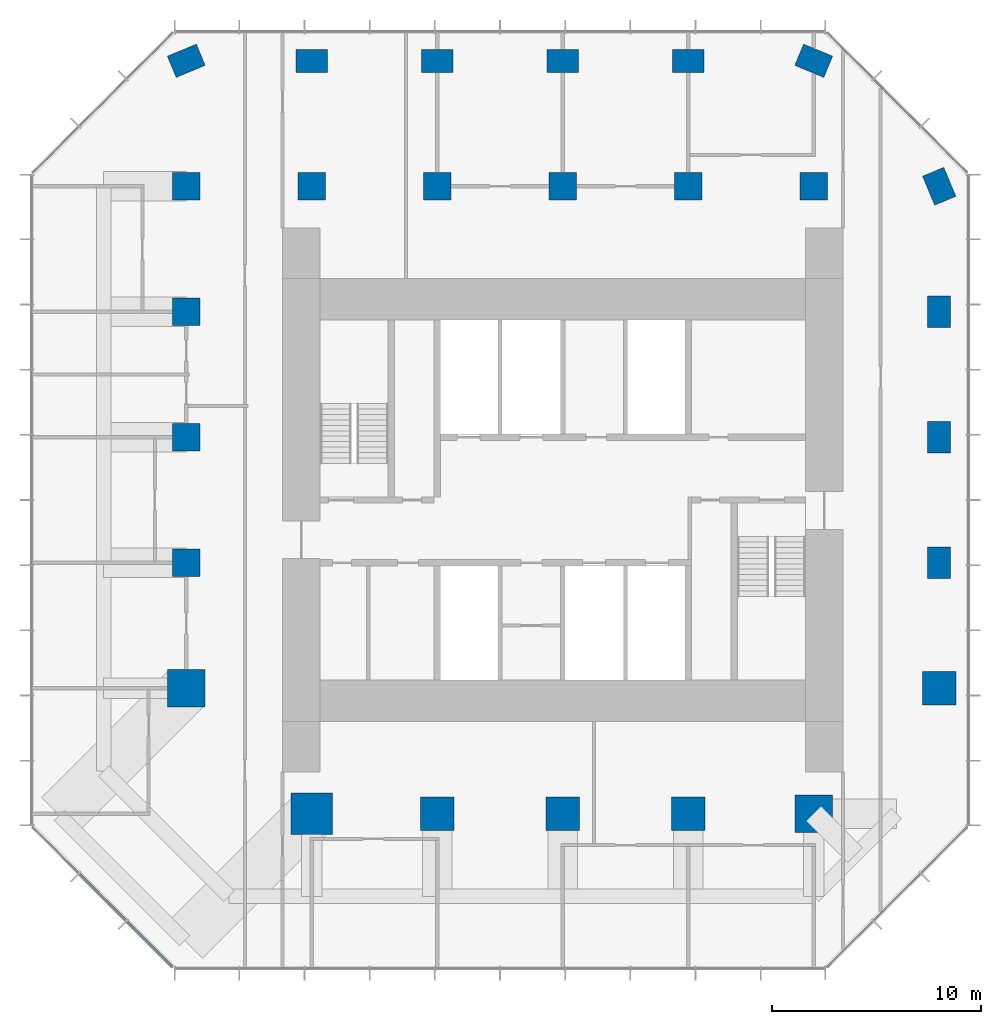
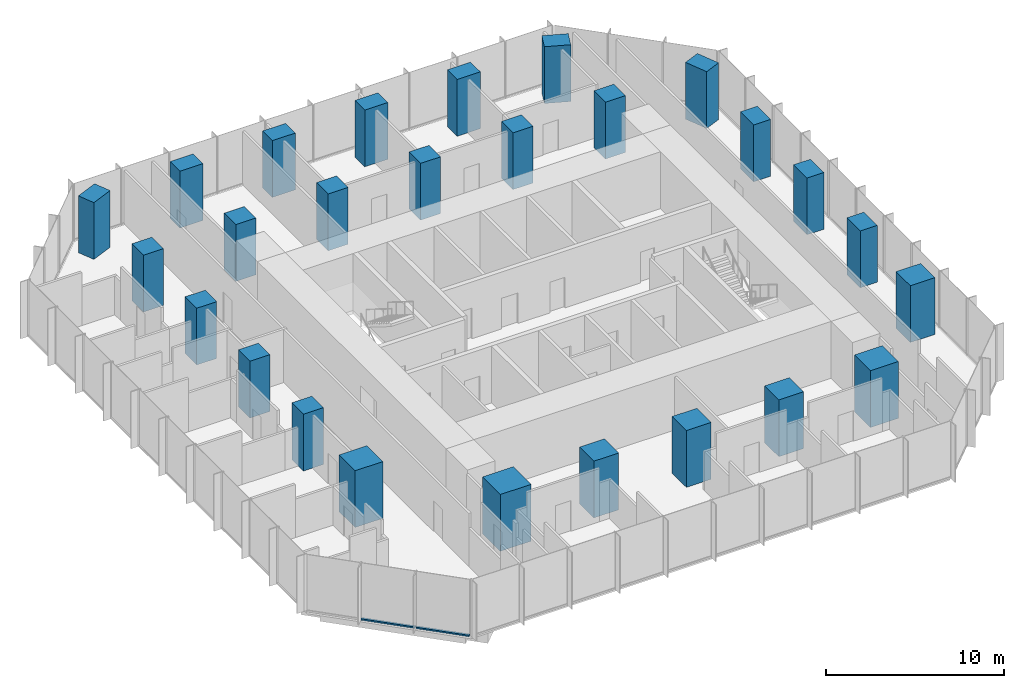
# One storey, part 1 of 11: 26 columns, 2 members, 1 element without a shape of its own.
"""IFC4 building model written with IfcOpenShell, lengths in metres."""

from ifc_helpers import new_model, si_unit, direction, frame, origin, origin_2d, place, context, subcontext, project, spatial, rectangle, extrude, material, layer, layer_set, material_profile, profile_set, type_object, element, aggregate, save


model = new_model("IFC4")

# Units and contexts
model_context = context("Model", 3, precision=1e-05, world=origin(), true_north=direction((0.0, 1.0)))
body_context = subcontext(model_context, "Body", "Model", "MODEL_VIEW")
ifc_project = project(units=[si_unit("LENGTHUNIT", "METRE"), si_unit("AREAUNIT", "SQUARE_METRE"), si_unit("VOLUMEUNIT", "CUBIC_METRE"), si_unit("PLANEANGLEUNIT", "RADIAN"), si_unit("MASSUNIT", "GRAM", prefix="KILO")], contexts=[model_context])

# Site, building, storey
site_placement = place(None, origin())
site = spatial("IfcSite", under=ifc_project, at=site_placement, CompositionType="ELEMENT")
building_placement = place(site_placement, origin())
building = spatial("IfcBuilding", under=site, at=building_placement, Name="Highveld Stack Headquarters", CompositionType="ELEMENT")
storey_placement = place(building_placement, frame((0.0, 0.0, 220.10009765625)))
storey = spatial("IfcBuildingStorey", under=building, at=storey_placement, Name="L54", CompositionType="ELEMENT", Elevation=220.10009765625)

# Columns
ifc_material_1 = material(Name="Concrete C60/75", Category="concrete")
ifc_material_profile_1 = material_profile(ifc_material_1, rectangle(XDim=1.300048828125, YDim=1.300048828125, at=origin_2d()), Name="RC 1300x1300")
ifc_profile_set_1 = profile_set([ifc_material_profile_1], Name="Concrete C60/75")
column_type_1 = type_object("IfcColumnType", Name="COLUMN RC 1300x1300 C60/75", PredefinedType="COLUMN", material=ifc_profile_set_1)
for number, where, z_axis, x_axis, name in (
    (1, (-12.0, 0.0, 0.0), (0.0, 0.0, 1.0), (1.0, 0.0, 0.0), "Column 4/E L54"),
    (2, (-12.0, 6.0, 0.0), (0.0, 0.0, 1.0), (1.0, 0.0, 0.0), "Column 4/F L54"),
    (3, (-12.0, 12.0, 0.0), (0.0, 0.0, 1.0), (1.0, 0.0, 0.0), "Column 4/G L54"),
    (4, (-12.0, 18.0, 0.0), (0.0, 0.0, 1.0), (1.0, 0.0, 0.0), "Column 4/H L54"),
    (5, (-6.0, 18.0, 0.0), (0.0, 0.0, 1.0), (1.0, 0.0, 0.0), "Column 5/H L54"),
    (6, (0.0, 18.0, 0.0), (0.0, 0.0, 1.0), (1.0, 0.0, 0.0), "Column 6/H L54"),
    (7, (6.0, 18.0, 0.0), (0.0, 0.0, 1.0), (1.0, 0.0, 0.0), "Column 7/H L54"),
    (8, (12.0, 18.0, 0.0), (0.0, 0.0, 1.0), (1.0, 0.0, 0.0), "Column 8/H L54"),
    (9, (18.0, 18.0, 0.0), (0.0, 0.0, 1.0), (1.0, 0.0, 0.0), "Column 9/H L54"),
):
    element("IfcColumn", number, at=place(storey_placement, frame(where, z_axis=z_axis, x_axis=x_axis)), inside=storey, type_object=column_type_1, Name=name, PredefinedType="COLUMN", context=body_context, shape_type="SweptSolid", body=[
        extrude(rectangle(XDim=1.300048828125, YDim=1.300048828125, at=origin_2d()), origin(), (0.0, 0.0, 1.0), 3.89990234375),
    ])
ifc_material_2 = material(Name="Concrete C60/75", Category="concrete")
ifc_material_profile_2 = material_profile(ifc_material_2, rectangle(XDim=1.5, YDim=1.10009765625, at=origin_2d()), Name="RC 1500x1100")
ifc_profile_set_2 = profile_set([ifc_material_profile_2], Name="Concrete C60/75")
column_type_2 = type_object("IfcColumnType", Name="COLUMN RC 1500x1100 C60/75", PredefinedType="COLUMN", material=ifc_profile_set_2)
for number, where, z_axis, x_axis, name in (
    (10, (-12.0, 24.0, 0.0), (0.0, 0.0, 1.0), (0.923879532511, 0.382683432365, 0.0), "Column 4/J L54"),
    (11, (-6.0, 24.0, 0.0), (0.0, 0.0, 1.0), (1.0, 0.0, 0.0), "Column 5/J L54"),
    (12, (0.0, 24.0, 0.0), (0.0, 0.0, 1.0), (1.0, 0.0, 0.0), "Column 6/J L54"),
    (13, (6.0, 24.0, 0.0), (0.0, 0.0, 1.0), (1.0, 0.0, 0.0), "Column 7/J L54"),
    (14, (12.0, 24.0, 0.0), (0.0, 0.0, 1.0), (1.0, 0.0, 0.0), "Column 8/J L54"),
    (15, (18.0, 24.0, 0.0), (0.0, 0.0, 1.0), (0.923879532511, -0.382683432365, 0.0), "Column 9/J L54"),
    (16, (24.0, 0.0, 0.0), (0.0, 0.0, 1.0), (0.0, 1.0, 0.0), "Column 10/E L54"),
    (17, (24.0, 6.0, 0.0), (0.0, 0.0, 1.0), (0.0, 1.0, 0.0), "Column 10/F L54"),
    (18, (24.0, 12.0, 0.0), (0.0, 0.0, 1.0), (0.0, 1.0, 0.0), "Column 10/G L54"),
    (19, (24.0, 18.0, 0.0), (0.0, 0.0, 1.0), (0.382683432365, -0.923879532511, 0.0), "Column 10/H L54"),
):
    element("IfcColumn", number, at=place(storey_placement, frame(where, z_axis=z_axis, x_axis=x_axis)), inside=storey, type_object=column_type_2, Name=name, PredefinedType="COLUMN", context=body_context, shape_type="SweptSolid", body=[
        extrude(rectangle(XDim=1.5, YDim=1.10009765625, at=origin_2d()), origin(), (0.0, 0.0, 1.0), 3.89990234375),
    ])
ifc_material_3 = material(Name="Concrete C60/75", Category="concrete")
ifc_material_profile_3 = material_profile(ifc_material_3, rectangle(XDim=1.60009765625, YDim=1.60009765625, at=origin_2d()), Name="RC 1600x1600")
ifc_profile_set_3 = profile_set([ifc_material_profile_3], Name="Concrete C60/75")
column_type_3 = type_object("IfcColumnType", Name="COLUMN RC 1600x1600 C60/75", PredefinedType="COLUMN", material=ifc_profile_set_3)
for number, where, z_axis, x_axis, name in (
    (20, (0.0, -12.0, 0.0), (0.0, 0.0, 1.0), (1.0, 0.0, 0.0), "Column 6/C L54"),
    (21, (6.0, -12.0, 0.0), (0.0, 0.0, 1.0), (1.0, 0.0, 0.0), "Column 7/C L54"),
    (22, (12.0, -12.0, 0.0), (0.0, 0.0, 1.0), (1.0, 0.0, 0.0), "Column 8/C L54"),
    (23, (24.0, -6.0, 0.0), (0.0, 0.0, 1.0), (1.0, 0.0, 0.0), "Column 10/D L54"),
):
    element("IfcColumn", number, at=place(storey_placement, frame(where, z_axis=z_axis, x_axis=x_axis)), inside=storey, type_object=column_type_3, Name=name, PredefinedType="COLUMN", context=body_context, shape_type="SweptSolid", body=[
        extrude(rectangle(XDim=1.60009765625, YDim=1.60009765625, at=origin_2d()), origin(), (0.0, 0.0, 1.0), 3.89990234375),
    ])
ifc_material_4 = material(Name="Concrete C60/75", Category="concrete")
ifc_material_profile_4 = material_profile(ifc_material_4, rectangle(XDim=1.800048828125, YDim=1.800048828125, at=origin_2d()), Name="RC 1800x1800")
ifc_profile_set_4 = profile_set([ifc_material_profile_4], Name="Concrete C60/75")
column_type_4 = type_object("IfcColumnType", Name="COLUMN RC 1800x1800 C60/75", PredefinedType="COLUMN", material=ifc_profile_set_4)
for number, where, z_axis, x_axis, name in (
    (24, (-12.0, -6.0, 0.0), (0.0, 0.0, 1.0), (1.0, 0.0, 0.0), "Column 4/D L54"),
    (25, (18.0, -12.0, 0.0), (0.0, 0.0, 1.0), (1.0, 0.0, 0.0), "Column 9/C L54"),
):
    element("IfcColumn", number, at=place(storey_placement, frame(where, z_axis=z_axis, x_axis=x_axis)), inside=storey, type_object=column_type_4, Name=name, PredefinedType="COLUMN", context=body_context, shape_type="SweptSolid", body=[
        extrude(rectangle(XDim=1.800048828125, YDim=1.800048828125, at=origin_2d()), origin(), (0.0, 0.0, 1.0), 3.89990234375),
    ])
ifc_material_5 = material(Name="Concrete C60/75", Category="concrete")
ifc_material_profile_5 = material_profile(ifc_material_5, rectangle(XDim=2.0, YDim=2.0, at=origin_2d()), Name="RC 2000x2000")
ifc_profile_set_5 = profile_set([ifc_material_profile_5], Name="Concrete C60/75")
column_type_5 = type_object("IfcColumnType", Name="COLUMN RC 2000x2000 C60/75", PredefinedType="COLUMN", material=ifc_profile_set_5)
column_placement = place(storey_placement, frame((-6.0, -12.0, 0.0), z_axis=(0.0, 0.0, 1.0), x_axis=(1.0, 0.0, 0.0)))
element("IfcColumn", 26, at=column_placement, inside=storey, type_object=column_type_5, Name="Column 5/C L54", PredefinedType="COLUMN", context=body_context, shape_type="SweptSolid", body=[
    extrude(rectangle(XDim=2.0, YDim=2.0, at=origin_2d()), origin(), (0.0, 0.0, 1.0), 3.89990234375),
])

# Curtain wall, members
ifc_material_6 = material(Name="Aluminium bronze anodised", Category="aluminium")
ifc_layer = layer(ifc_material_6, 0.199951171875)
ifc_layer_set = layer_set([ifc_layer], Name="Aluminium bronze anodised")
curtain_wall_type = type_object("IfcCurtainWallType", Name="CW2 TOWER CHAMFER UNITISED CURTAIN WALL", PredefinedType="NOTDEFINED", material=ifc_layer_set)
curtain_wall_placement = place(storey_placement, origin())
curtain_wall = element("IfcCurtainWall", 27, at=curtain_wall_placement, inside=storey, type_object=curtain_wall_type, Name="Curtain wall CW2 L54 SW", PredefinedType="NOTDEFINED")
ifc_material_7 = material(Name="Aluminium bronze anodised", Category="aluminium")
ifc_material_profile_6 = material_profile(ifc_material_7, rectangle(XDim=0.14990234375, YDim=0.10009765625, at=origin_2d()), Name="CW2 TRANSOM 150x100")
ifc_profile_set_6 = profile_set([ifc_material_profile_6], Name="Aluminium bronze anodised")
member_type = type_object("IfcMemberType", Name="CW2 STACK TRANSOM 150x100", PredefinedType="USERDEFINED", material=ifc_profile_set_6)
member_1_placement = place(storey_placement, frame((-17.103759765625, -14.876220703125, 0.0498046875), z_axis=(0.707106781187, -0.707106781187, 0.0), x_axis=(0.707106781187, 0.707106781187, 0.0)))
member_1 = element("IfcMember", 28, at=member_1_placement, type_object=member_type, Name="CW2 transom L54 2.1", ObjectType="TRANSOM", PredefinedType="USERDEFINED", context=body_context, shape_type="SweptSolid", body=[
    extrude(rectangle(XDim=0.14990234375, YDim=0.10009765625, at=origin_2d()), origin(), (0.0, 0.0, 1.0), 3.150146484375),
])
member_2_placement = place(storey_placement, frame((-14.830322265625, -17.149658203125, 0.0498046875), z_axis=(0.707106781187, -0.707106781187, 0.0), x_axis=(0.707106781187, 0.707106781187, 0.0)))
member_2 = element("IfcMember", 29, at=member_2_placement, type_object=member_type, Name="CW2 transom L54 3.1", ObjectType="TRANSOM", PredefinedType="USERDEFINED", context=body_context, shape_type="SweptSolid", body=[
    extrude(rectangle(XDim=0.14990234375, YDim=0.10009765625, at=origin_2d()), origin(), (0.0, 0.0, 1.0), 3.08251953125),
])
aggregate(curtain_wall, [member_1, member_2])

save(model, "model.ifc")
